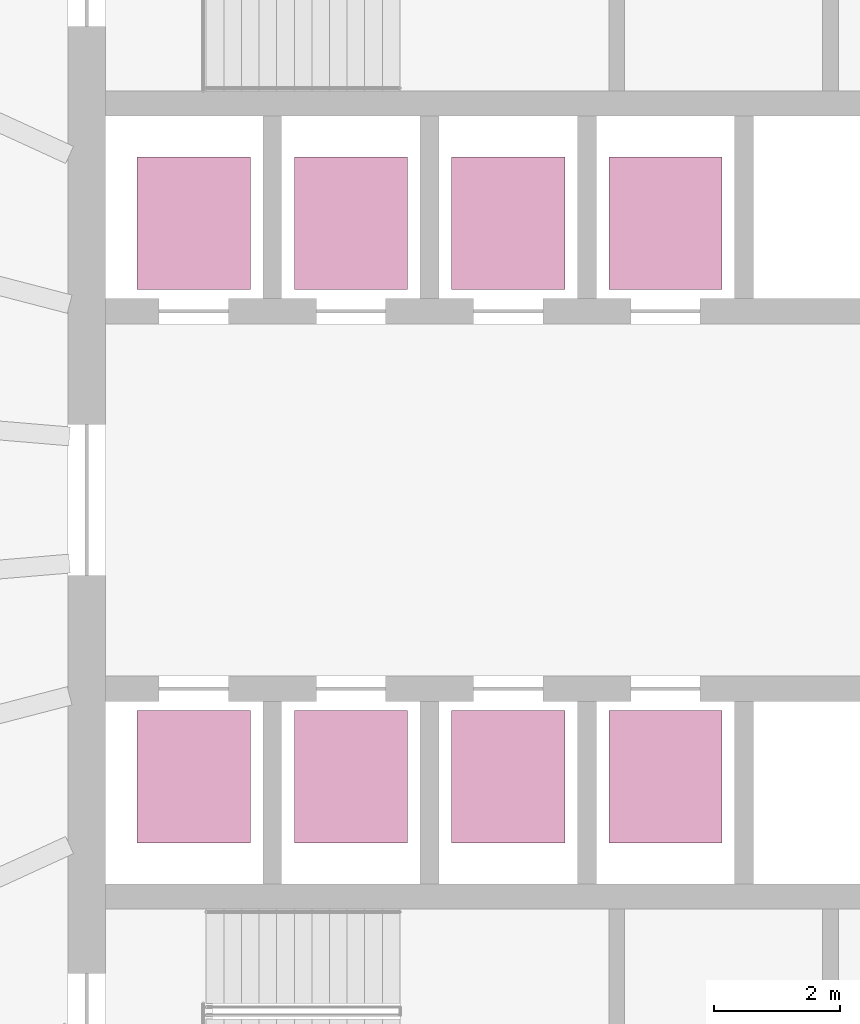
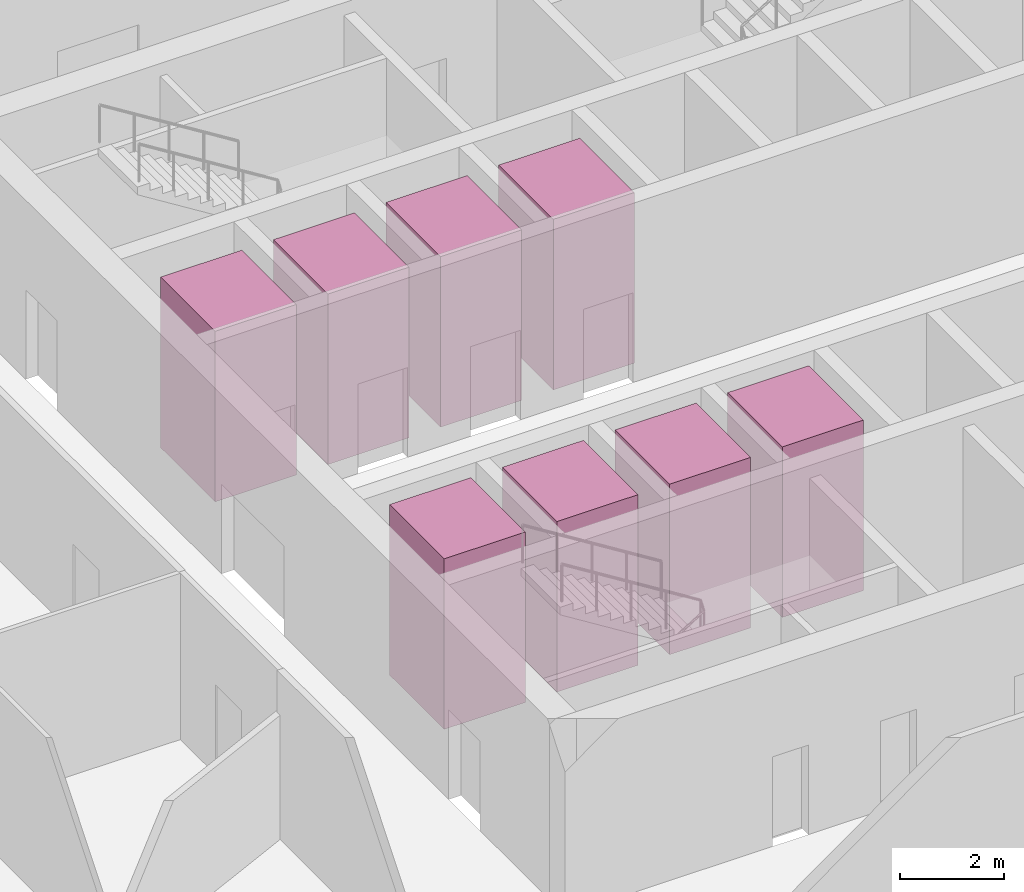
# One storey, part 10 of 10: 8 transport elements.
"""IFC4 building model written with IfcOpenShell, lengths in metres."""

from ifc_helpers import new_model, si_unit, direction, frame, origin, origin_2d, place, context, subcontext, project, spatial, rectangle, extrude, material, type_object, element, save


model = new_model("IFC4")

# Units and contexts
model_context = context("Model", 3, precision=1e-05, world=origin(), true_north=direction((0.0, 1.0)))
body_context = subcontext(model_context, "Body", "Model", "MODEL_VIEW")
ifc_project = project(units=[si_unit("LENGTHUNIT", "METRE"), si_unit("AREAUNIT", "SQUARE_METRE"), si_unit("VOLUMEUNIT", "CUBIC_METRE"), si_unit("PLANEANGLEUNIT", "RADIAN"), si_unit("MASSUNIT", "GRAM", prefix="KILO")], contexts=[model_context])

# Site, building, storey
site_placement = place(None, origin())
site = spatial("IfcSite", under=ifc_project, at=site_placement, CompositionType="ELEMENT")
building_placement = place(site_placement, origin())
building = spatial("IfcBuilding", under=site, at=building_placement, Name="Halqa Exchange Tower", CompositionType="ELEMENT")
storey_placement = place(building_placement, frame((0.0, 0.0, 129.699951171875)))
storey = spatial("IfcBuildingStorey", under=building, at=storey_placement, Name="L29", CompositionType="ELEMENT", Elevation=129.699951171875)

# Transport elements
ifc_material = material(Name="Stainless steel", Category="steel")
transport_element_type = type_object("IfcTransportElementType", Name="Low-rise passenger lift 1800 x 2100", PredefinedType="ELEVATOR", material=ifc_material)
for number, where, z_axis, x_axis, name in (
    (1, (-10.0, 4.39990234375, 0.0), (0.0, 0.0, 1.0), (1.0, 0.0, 0.0), "Low-rise passenger lift LR1"),
    (2, (-7.5, 4.39990234375, 0.0), (0.0, 0.0, 1.0), (1.0, 0.0, 0.0), "Low-rise passenger lift LR2"),
    (3, (-5.0, 4.39990234375, 0.0), (0.0, 0.0, 1.0), (1.0, 0.0, 0.0), "Low-rise passenger lift LR3"),
    (4, (-2.5, 4.39990234375, 0.0), (0.0, 0.0, 1.0), (1.0, 0.0, 0.0), "Low-rise passenger lift LR4"),
    (5, (-10.0, -4.39990234375, 0.0), (0.0, 0.0, 1.0), (1.0, 0.0, 0.0), "Low-rise passenger lift LR5"),
    (6, (-7.5, -4.39990234375, 0.0), (0.0, 0.0, 1.0), (1.0, 0.0, 0.0), "Low-rise passenger lift LR6"),
    (7, (-5.0, -4.39990234375, 0.0), (0.0, 0.0, 1.0), (1.0, 0.0, 0.0), "Low-rise passenger lift LR7"),
    (8, (-2.5, -4.39990234375, 0.0), (0.0, 0.0, 1.0), (1.0, 0.0, 0.0), "Low-rise passenger lift LR8"),
):
    element("IfcTransportElement", number, at=place(storey_placement, frame(where, z_axis=z_axis, x_axis=x_axis)), inside=storey, type_object=transport_element_type, Name=name, PredefinedType="ELEVATOR", context=body_context, shape_type="SweptSolid", body=[
        extrude(rectangle(XDim=1.800048828125, YDim=2.10009765625, at=origin_2d()), origin(), (0.0, 0.0, 1.0), 4.0),
    ])

save(model, "model.ifc")
